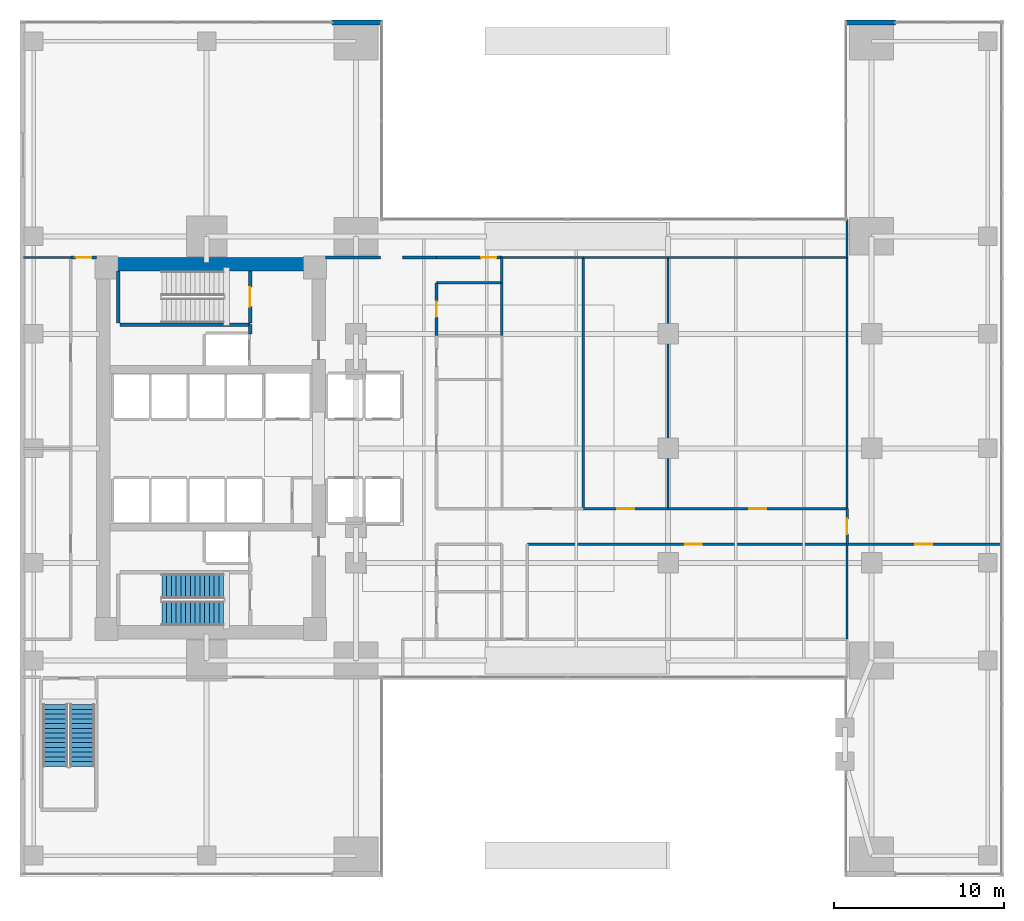
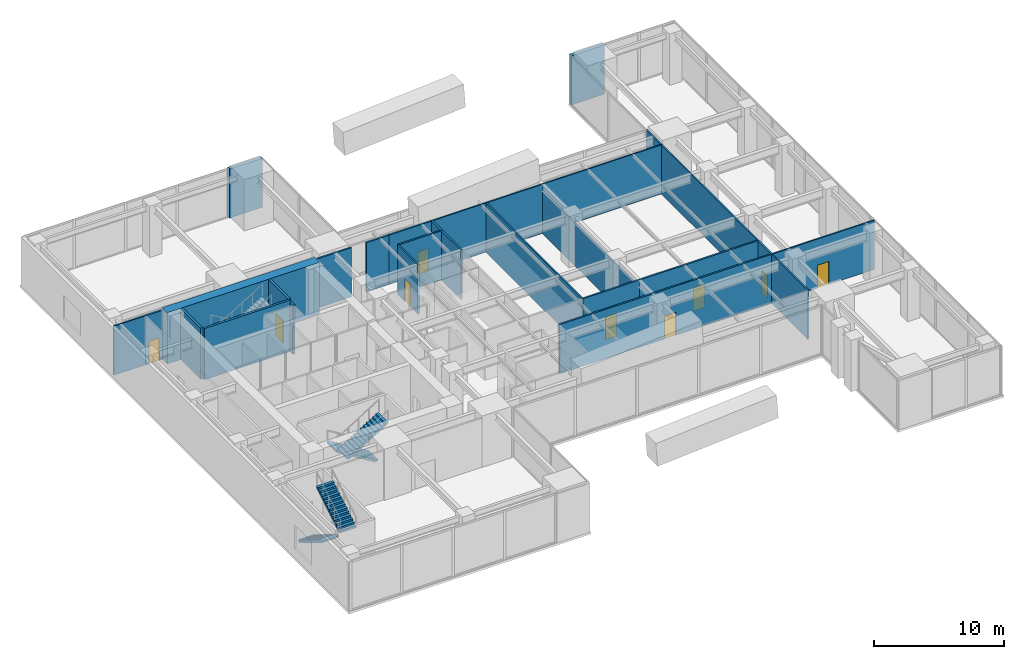
# One storey, part 10 of 13: 29 walls, 9 doors, 4 stair flights, 9 openings, 2 elements without a shape of their own.
"""IFC4 building model written with IfcOpenShell, lengths in metres."""

from ifc_helpers import new_model, si_unit, direction, frame, frame_2d, origin, place, context, subcontext, project, spatial, polyline, rectangle, outline, extrude, material, layer, layer_set, type_object, element, fill, aggregate, save


model = new_model("IFC4")

# Units and contexts
model_context = context("Model", 3, precision=1e-05, world=origin(), true_north=direction((0.0, 1.0)))
body_context = subcontext(model_context, "Body", "Model", "MODEL_VIEW")
ifc_project = project(units=[si_unit("LENGTHUNIT", "METRE"), si_unit("AREAUNIT", "SQUARE_METRE"), si_unit("VOLUMEUNIT", "CUBIC_METRE"), si_unit("PLANEANGLEUNIT", "RADIAN"), si_unit("MASSUNIT", "GRAM", prefix="KILO")], contexts=[model_context])

# Site, building, storey
site_placement = place(None, origin())
site = spatial("IfcSite", under=ifc_project, at=site_placement, CompositionType="ELEMENT")
building_placement = place(site_placement, origin())
building = spatial("IfcBuilding", under=site, at=building_placement, Name="Kinhvarn Gate Tower", CompositionType="ELEMENT")
storey_placement = place(building_placement, frame((0.0, 0.0, 10.800048828125)))
storey = spatial("IfcBuildingStorey", under=building, at=storey_placement, Name="L02", CompositionType="ELEMENT", Elevation=10.800048828125)

# Walls
ifc_material_1 = material(Name="Concrete C70/85", Category="concrete")
ifc_layer_1 = layer(ifc_material_1, 0.800048828125)
ifc_layer_set_1 = layer_set([ifc_layer_1], Name="Concrete C70/85")
wall_type_1 = type_object("IfcWallType", Name="WL-CORE-800", PredefinedType="SHEAR", material=ifc_layer_set_1)
wall_1_placement = place(storey_placement, frame((4.5, 36.10009765625, 0.0), z_axis=(0.0, 0.0, 1.0), x_axis=(1.0, 0.0, 0.0)))
element("IfcWall", 1, at=wall_1_placement, inside=storey, type_object=wall_type_1, Name="Core North Shear Wall L02 800 mm", PredefinedType="SHEAR", context=body_context, shape_type="SweptSolid", body=[
    extrude(rectangle(XDim=13.5, YDim=0.800048828125, at=frame_2d((6.75, 0.0))), origin(), (0.0, 0.0, 1.0), 4.800048828125),
])
ifc_material_2 = material(Name="Precast white architectural concrete C40/50", Category="concrete")
ifc_layer_2 = layer(ifc_material_2, 0.300048828125)
ifc_layer_set_2 = layer_set([ifc_layer_2], Name="Precast white architectural concrete C40/50")
wall_type_2 = type_object("IfcWallType", Name="WL-EXT-300", PredefinedType="SOLIDWALL", material=ifc_layer_set_2)
for number, where, z_axis, x_axis, name in (
    (2, (51.60009765625, 50.35009765625, 0.0), (0.0, 0.0, 1.0), (-1.0, 0.0, 0.0), "Exterior Solidwall Wall EW-300 (L02 Arch-NE-Pier-L02)"),
    (3, (21.31005859375, 50.35009765625, 0.0), (0.0, 0.0, 1.0), (-1.0, 0.0, 0.0), "Exterior Solidwall Wall EW-300 (L02 Arch-NW-Pier-L02)"),
):
    element("IfcWall", number, at=place(storey_placement, frame(where, z_axis=z_axis, x_axis=x_axis)), inside=storey, type_object=wall_type_2, Name=name, PredefinedType="SOLIDWALL", context=body_context, shape_type="SweptSolid", body=[
        extrude(rectangle(XDim=2.91015625, YDim=0.300048828125, at=frame_2d((1.455078125, 0.0))), origin(), (0.0, 0.0, 1.0), 4.599853515625),
    ])
ifc_material_3 = material(Name="Gypsum acoustic partition board")
ifc_layer_3 = layer(ifc_material_3, 0.14990234375)
ifc_layer_set_3 = layer_set([ifc_layer_3], Name="Gypsum acoustic partition board")
wall_type_3 = type_object("IfcWallType", Name="WL-PLM-150", PredefinedType="PLUMBINGWALL", material=ifc_layer_set_3)
wall_2_placement = place(storey_placement, frame((28.39990234375, 31.89990234375, 0.0), z_axis=(0.0, 0.0, 1.0), x_axis=(0.0, 1.0, 0.0)))
element("IfcWall", 4, at=wall_2_placement, inside=storey, type_object=wall_type_3, Name="Interior Partition PLW-150 (L02)", PredefinedType="PLUMBINGWALL", context=body_context, shape_type="SweptSolid", body=[
    extrude(rectangle(XDim=3.10009765625, YDim=0.14990234375, at=frame_2d((1.550048828125, 0.0))), origin(), (0.0, 0.0, 1.0), 4.599853515625),
])

# Wall, opening, door
ifc_layer_4 = layer(ifc_material_3, 0.14990234375)
ifc_layer_set_4 = layer_set([ifc_layer_4], Name="Gypsum acoustic partition board")
wall_type_4 = type_object("IfcWallType", Name="WL-PLM-150F", PredefinedType="PLUMBINGWALL", material=ifc_layer_set_4)
wall_3_placement = place(storey_placement, frame((24.550048828125, 31.89990234375, 0.0), z_axis=(0.0, 0.0, 1.0), x_axis=(0.0, 1.0, 0.0)))
wall_3 = element("IfcWall", 5, at=wall_3_placement, inside=storey, type_object=wall_type_4, Name="Interior Partition PLW-150F (L02)", PredefinedType="PLUMBINGWALL", context=body_context, shape_type="SweptSolid", body=[
    extrude(rectangle(XDim=3.10009765625, YDim=0.14990234375, at=frame_2d((1.550048828125, 0.0))), origin(), (0.0, 0.0, 1.0), 4.599853515625),
])
opening_1_placement = place(wall_3_placement, frame((1.10009765625, 0.0, 0.0)))
opening_1 = element("IfcOpeningElement", 6, at=opening_1_placement, cuts=wall_3, Name="Opening FD-04", PredefinedType="OPENING", context=body_context, shape_type="SweptSolid", body=[
    extrude(rectangle(XDim=0.89990234375, YDim=2.10009765625, at=frame_2d((0.449951171875, 1.050048828125))), frame((0.0, 0.0849609375, 0.0), z_axis=(0.0, -1.0, 0.0), x_axis=(1.0, 0.0, 0.0)), (0.0, 0.0, 1.0), 0.169921875),
])
ifc_material_4 = material(Name="Anodised aluminium AW-6063", Category="aluminium")
door_type_1 = type_object("IfcDoorType", Name="DR-FD-900", OperationType="NOTDEFINED", PredefinedType="DOOR", material=ifc_material_4)
door_1_placement = place(opening_1_placement, origin())
door_1 = element("IfcDoor", 7, at=door_1_placement, inside=storey, type_object=door_type_1, Name="Rated Riser & Service Closet Fire Door 900x2100 mm (L02)", OperationType="SINGLE_SWING_RIGHT", OverallHeight=2.10009765625, OverallWidth=0.89990234375, PredefinedType="DOOR", context=body_context, shape_type="SweptSolid", body=[
    extrude(rectangle(XDim=0.89990234375, YDim=2.10009765625, at=frame_2d((0.449951171875, 1.050048828125))), frame((0.0, 0.02490234375, 0.0), z_axis=(0.0, -1.0, 0.0), x_axis=(1.0, 0.0, 0.0)), (0.0, 0.0, 1.0), 0.050048828125),
])
fill(opening_1, door_1)

# Walls
wall_4_placement = place(storey_placement, frame((24.550048828125, 35.0, 0.0), z_axis=(0.0, 0.0, 1.0), x_axis=(1.0, 0.0, 0.0)))
element("IfcWall", 8, at=wall_4_placement, inside=storey, type_object=wall_type_4, Name="Interior Partition PLW-150F (L02)", PredefinedType="PLUMBINGWALL", context=body_context, shape_type="SweptSolid", body=[
    extrude(rectangle(XDim=3.849853515625, YDim=0.14990234375, at=frame_2d((1.9248046875, 0.0))), origin(), (0.0, 0.0, 1.0), 4.599853515625),
])
ifc_layer_5 = layer(ifc_material_3, 0.1201171875)
ifc_layer_set_5 = layer_set([ifc_layer_5], Name="Gypsum acoustic partition board")
wall_type_5 = type_object("IfcWallType", Name="WL-PRT-120", PredefinedType="PARTITIONING", material=ifc_layer_set_5)
wall_5_placement = place(storey_placement, frame((0.199951171875, 36.5, 0.0), z_axis=(0.0, 0.0, 1.0), x_axis=(1.0, 0.0, 0.0)))
element("IfcWall", 9, at=wall_5_placement, inside=storey, type_object=wall_type_5, Name="Interior Partition PW-120 (L02)", PredefinedType="PARTITIONING", context=body_context, shape_type="SweptSolid", body=[
    extrude(rectangle(XDim=2.800048828125, YDim=0.1201171875, at=frame_2d((1.39990234375, 0.0))), origin(), (0.0, 0.0, 1.0), 4.599853515625),
])
wall_6_placement = place(storey_placement, frame((28.39990234375, 36.5, 0.0), z_axis=(0.0, 0.0, 1.0), x_axis=(1.0, 0.0, 0.0)))
element("IfcWall", 10, at=wall_6_placement, inside=storey, type_object=wall_type_5, Name="Interior Partition PW-120 (L02)", PredefinedType="PARTITIONING", context=body_context, shape_type="SweptSolid", body=[
    extrude(rectangle(XDim=4.800048828125, YDim=0.1201171875, at=frame_2d((2.39990234375, 0.0))), origin(), (0.0, 0.0, 1.0), 4.599853515625),
])
wall_7_placement = place(storey_placement, frame((33.199951171875, 36.5, 0.0), z_axis=(0.0, 0.0, 1.0), x_axis=(1.0, 0.0, 0.0)))
element("IfcWall", 11, at=wall_7_placement, inside=storey, type_object=wall_type_5, Name="Interior Partition PW-120 (L02)", PredefinedType="PARTITIONING", context=body_context, shape_type="SweptSolid", body=[
    extrude(rectangle(XDim=5.0, YDim=0.1201171875, at=frame_2d((2.5, 0.0))), origin(), (0.0, 0.0, 1.0), 4.599853515625),
])
wall_8_placement = place(storey_placement, frame((38.199951171875, 36.5, 0.0), z_axis=(0.0, 0.0, 1.0), x_axis=(1.0, 0.0, 0.0)))
element("IfcWall", 12, at=wall_8_placement, inside=storey, type_object=wall_type_5, Name="Interior Partition PW-120 (L02)", PredefinedType="PARTITIONING", context=body_context, shape_type="SweptSolid", body=[
    extrude(rectangle(XDim=10.550048828125, YDim=0.1201171875, at=frame_2d((5.27490234375, 0.0))), origin(), (0.0, 0.0, 1.0), 4.599853515625),
])
wall_9_placement = place(storey_placement, frame((48.75, 36.5, 0.0), z_axis=(0.0, 0.0, 1.0), x_axis=(0.0, 1.0, 0.0)))
element("IfcWall", 13, at=wall_9_placement, inside=storey, type_object=wall_type_5, Name="Interior Partition PW-120 (L02)", PredefinedType="PARTITIONING", context=body_context, shape_type="SweptSolid", body=[
    extrude(rectangle(XDim=2.260009765625, YDim=0.1201171875, at=frame_2d((1.1298828125, 0.0))), origin(), (0.0, 0.0, 1.0), 4.599853515625),
])
wall_10_placement = place(storey_placement, frame((48.75, 14.0, 0.0), z_axis=(0.0, 0.0, 1.0), x_axis=(0.0, 1.0, 0.0)))
element("IfcWall", 14, at=wall_10_placement, inside=storey, type_object=wall_type_5, Name="Interior Partition PW-120 (L02)", PredefinedType="PARTITIONING", context=body_context, shape_type="SweptSolid", body=[
    extrude(rectangle(XDim=5.60009765625, YDim=0.1201171875, at=frame_2d((2.800048828125, 0.0))), origin(), (0.0, 0.0, 1.0), 4.599853515625),
])
wall_11_placement = place(storey_placement, frame((33.199951171875, 21.699951171875, 0.0), z_axis=(0.0, 0.0, 1.0), x_axis=(0.0, 1.0, 0.0)))
element("IfcWall", 15, at=wall_11_placement, inside=storey, type_object=wall_type_5, Name="Interior Partition PW-120 (L02)", PredefinedType="PARTITIONING", context=body_context, shape_type="SweptSolid", body=[
    extrude(rectangle(XDim=14.800048828125, YDim=0.1201171875, at=frame_2d((7.39990234375, 0.0))), origin(), (0.0, 0.0, 1.0), 4.599853515625),
])
wall_12_placement = place(storey_placement, frame((38.199951171875, 21.699951171875, 0.0), z_axis=(0.0, 0.0, 1.0), x_axis=(0.0, 1.0, 0.0)))
element("IfcWall", 16, at=wall_12_placement, inside=storey, type_object=wall_type_5, Name="Interior Partition PW-120 (L02)", PredefinedType="PARTITIONING", context=body_context, shape_type="SweptSolid", body=[
    extrude(rectangle(XDim=14.800048828125, YDim=0.1201171875, at=frame_2d((7.39990234375, 0.0))), origin(), (0.0, 0.0, 1.0), 4.0),
])
wall_13_placement = place(storey_placement, frame((48.75, 21.699951171875, 0.0), z_axis=(0.0, 0.0, 1.0), x_axis=(0.0, 1.0, 0.0)))
element("IfcWall", 17, at=wall_13_placement, inside=storey, type_object=wall_type_5, Name="Interior Partition PW-120 (L02)", PredefinedType="PARTITIONING", context=body_context, shape_type="SweptSolid", body=[
    extrude(rectangle(XDim=14.800048828125, YDim=0.1201171875, at=frame_2d((7.39990234375, 0.0))), origin(), (0.0, 0.0, 1.0), 4.599853515625),
])

# Wall, opening, door
wall_14_placement = place(storey_placement, frame((48.75, 19.60009765625, 0.0), z_axis=(0.0, 0.0, 1.0), x_axis=(1.0, 0.0, 0.0)))
wall_14 = element("IfcWall", 18, at=wall_14_placement, inside=storey, type_object=wall_type_5, Name="Interior Partition PW-120 (L02)", PredefinedType="PARTITIONING", context=body_context, shape_type="SweptSolid", body=[
    extrude(rectangle(XDim=9.050048828125, YDim=0.1201171875, at=frame_2d((4.52490234375, 0.0))), origin(), (0.0, 0.0, 1.0), 4.599853515625),
])
opening_2_placement = place(wall_14_placement, frame((4.02490234375, 0.0, 0.0)))
opening_2 = element("IfcOpeningElement", 19, at=opening_2_placement, cuts=wall_14, Name="Opening ID-02", PredefinedType="OPENING", context=body_context, shape_type="SweptSolid", body=[
    extrude(rectangle(XDim=1.0, YDim=2.14990234375, at=frame_2d((0.5, 1.074951171875))), frame((0.0, 0.070068359375, 0.0), z_axis=(0.0, -1.0, 0.0), x_axis=(1.0, 0.0, 0.0)), (0.0, 0.0, 1.0), 0.14013671875),
])
door_type_2 = type_object("IfcDoorType", Name="DR-INT-1000", OperationType="NOTDEFINED", PredefinedType="DOOR", material=ifc_material_4)
door_2_placement = place(opening_2_placement, origin())
door_2 = element("IfcDoor", 20, at=door_2_placement, inside=storey, type_object=door_type_2, Name="Standard Office & Meeting Room Door 1000x2150 mm (L02)", OperationType="SINGLE_SWING_RIGHT", OverallHeight=2.14990234375, OverallWidth=1.0, PredefinedType="DOOR", context=body_context, shape_type="SweptSolid", body=[
    extrude(rectangle(XDim=1.0, YDim=2.14990234375, at=frame_2d((0.5, 1.074951171875))), frame((0.0, 0.02490234375, 0.0), z_axis=(0.0, -1.0, 0.0), x_axis=(1.0, 0.0, 0.0)), (0.0, 0.0, 1.0), 0.050048828125),
])
fill(opening_2, door_2)

# Walls
ifc_layer_6 = layer(ifc_material_3, 0.14990234375)
ifc_layer_set_6 = layer_set([ifc_layer_6], Name="Gypsum acoustic partition board")
wall_type_6 = type_object("IfcWallType", Name="WL-PRT-150F", PredefinedType="PARTITIONING", material=ifc_layer_set_6)
wall_15_placement = place(storey_placement, frame((18.0, 36.5, 0.0), z_axis=(0.0, 0.0, 1.0), x_axis=(1.0, 0.0, 0.0)))
element("IfcWall", 21, at=wall_15_placement, inside=storey, type_object=wall_type_6, Name="Interior Partition PW-150F (L02)", PredefinedType="PARTITIONING", context=body_context, shape_type="SweptSolid", body=[
    extrude(rectangle(XDim=3.25, YDim=0.14990234375, at=frame_2d((1.625, 0.0))), origin(), (0.0, 0.0, 1.0), 4.599853515625),
])
wall_16_placement = place(storey_placement, frame((22.550048828125, 36.5, 0.0), z_axis=(0.0, 0.0, 1.0), x_axis=(1.0, 0.0, 0.0)))
element("IfcWall", 22, at=wall_16_placement, inside=storey, type_object=wall_type_6, Name="Interior Partition PW-150F (L02)", PredefinedType="PARTITIONING", context=body_context, shape_type="SweptSolid", body=[
    extrude(rectangle(XDim=2.0, YDim=0.14990234375, at=frame_2d((1.0, 0.0))), origin(), (0.0, 0.0, 1.0), 4.599853515625),
])

# Wall, opening, door
wall_17_placement = place(storey_placement, frame((24.550048828125, 36.5, 0.0), z_axis=(0.0, 0.0, 1.0), x_axis=(1.0, 0.0, 0.0)))
wall_17 = element("IfcWall", 23, at=wall_17_placement, inside=storey, type_object=wall_type_6, Name="Interior Partition PW-150F (L02)", PredefinedType="PARTITIONING", context=body_context, shape_type="SweptSolid", body=[
    extrude(rectangle(XDim=3.849853515625, YDim=0.14990234375, at=frame_2d((1.9248046875, 0.0))), origin(), (0.0, 0.0, 1.0), 4.599853515625),
])
opening_3_placement = place(wall_17_placement, frame((2.6259765625, 0.0, 0.0)))
opening_3 = element("IfcOpeningElement", 24, at=opening_3_placement, cuts=wall_17, Name="Opening ID-03", PredefinedType="OPENING", context=body_context, shape_type="SweptSolid", body=[
    extrude(rectangle(XDim=0.89990234375, YDim=2.10009765625, at=frame_2d((0.449951171875, 1.050048828125))), frame((0.0, 0.0849609375, 0.0), z_axis=(0.0, -1.0, 0.0), x_axis=(1.0, 0.0, 0.0)), (0.0, 0.0, 1.0), 0.169921875),
])
door_type_3 = type_object("IfcDoorType", Name="DR-INT-900", OperationType="NOTDEFINED", PredefinedType="DOOR", material=ifc_material_4)
door_3_placement = place(opening_3_placement, origin())
door_3 = element("IfcDoor", 25, at=door_3_placement, inside=storey, type_object=door_type_3, Name="Cellular Office & Restroom Door 900x2100 mm (L02)", OperationType="SINGLE_SWING_LEFT", OverallHeight=2.10009765625, OverallWidth=0.89990234375, PredefinedType="DOOR", context=body_context, shape_type="SweptSolid", body=[
    extrude(rectangle(XDim=0.89990234375, YDim=2.10009765625, at=frame_2d((0.449951171875, 1.050048828125))), frame((0.0, 0.02490234375, 0.0), z_axis=(0.0, -1.0, 0.0), x_axis=(1.0, 0.0, 0.0)), (0.0, 0.0, 1.0), 0.050048828125),
])
fill(opening_3, door_3)

# Wall
wall_18_placement = place(storey_placement, frame((28.39990234375, 35.0, 0.0), z_axis=(0.0, 0.0, 1.0), x_axis=(0.0, 1.0, 0.0)))
element("IfcWall", 26, at=wall_18_placement, inside=storey, type_object=wall_type_6, Name="Interior Partition PW-150F (L02)", PredefinedType="PARTITIONING", context=body_context, shape_type="SweptSolid", body=[
    extrude(rectangle(XDim=1.5, YDim=0.14990234375, at=frame_2d((0.75, 0.0))), origin(), (0.0, 0.0, 1.0), 4.599853515625),
])

# Wall, opening, door
wall_19_placement = place(storey_placement, frame((3.0, 36.5, 0.0), z_axis=(0.0, 0.0, 1.0), x_axis=(1.0, 0.0, 0.0)))
wall_19 = element("IfcWall", 27, at=wall_19_placement, inside=storey, type_object=wall_type_6, Name="Interior Partition PW-150F (L02)", PredefinedType="PARTITIONING", context=body_context, shape_type="SweptSolid", body=[
    extrude(rectangle(XDim=1.5, YDim=0.14990234375, at=frame_2d((0.75, 0.0))), origin(), (0.0, 0.0, 1.0), 4.599853515625),
])
opening_4_placement = place(wall_19_placement, frame((0.300048828125, 0.0, 0.0)))
opening_4 = element("IfcOpeningElement", 28, at=opening_4_placement, cuts=wall_19, Name="Opening ID-03", PredefinedType="OPENING", context=body_context, shape_type="SweptSolid", body=[
    extrude(rectangle(XDim=0.89990234375, YDim=2.10009765625, at=frame_2d((0.449951171875, 1.050048828125))), frame((0.0, 0.0849609375, 0.0), z_axis=(0.0, -1.0, 0.0), x_axis=(1.0, 0.0, 0.0)), (0.0, 0.0, 1.0), 0.169921875),
])
door_4_placement = place(opening_4_placement, origin())
door_4 = element("IfcDoor", 29, at=door_4_placement, inside=storey, type_object=door_type_3, Name="Cellular Office & Restroom Door 900x2100 mm (L02)", OperationType="SINGLE_SWING_RIGHT", OverallHeight=2.10009765625, OverallWidth=0.89990234375, PredefinedType="DOOR", context=body_context, shape_type="SweptSolid", body=[
    extrude(rectangle(XDim=0.89990234375, YDim=2.10009765625, at=frame_2d((0.449951171875, 1.050048828125))), frame((0.0, 0.02490234375, 0.0), z_axis=(0.0, -1.0, 0.0), x_axis=(1.0, 0.0, 0.0)), (0.0, 0.0, 1.0), 0.050048828125),
])
fill(opening_4, door_4)

wall_20_placement = place(storey_placement, frame((29.89990234375, 19.60009765625, 0.0), z_axis=(0.0, 0.0, 1.0), x_axis=(1.0, 0.0, 0.0)))
wall_20 = element("IfcWall", 30, at=wall_20_placement, inside=storey, type_object=wall_type_6, Name="Interior Partition PW-150F (L02)", PredefinedType="PARTITIONING", context=body_context, shape_type="SweptSolid", body=[
    extrude(rectangle(XDim=18.85009765625, YDim=0.14990234375, at=frame_2d((9.425048828125, 0.0))), origin(), (0.0, 0.0, 1.0), 4.599853515625),
])
opening_5_placement = place(wall_20_placement, frame((9.299072265625, 0.0, 0.0)))
opening_5 = element("IfcOpeningElement", 31, at=opening_5_placement, cuts=wall_20, Name="Opening ID-02", PredefinedType="OPENING", context=body_context, shape_type="SweptSolid", body=[
    extrude(rectangle(XDim=1.0, YDim=2.14990234375, at=frame_2d((0.5, 1.074951171875))), frame((0.0, 0.0849609375, 0.0), z_axis=(0.0, -1.0, 0.0), x_axis=(1.0, 0.0, 0.0)), (0.0, 0.0, 1.0), 0.169921875),
])
door_5_placement = place(opening_5_placement, origin())
door_5 = element("IfcDoor", 32, at=door_5_placement, inside=storey, type_object=door_type_2, Name="Standard Office & Meeting Room Door 1000x2150 mm (L02)", OperationType="SINGLE_SWING_LEFT", OverallHeight=2.14990234375, OverallWidth=1.0, PredefinedType="DOOR", context=body_context, shape_type="SweptSolid", body=[
    extrude(rectangle(XDim=1.0, YDim=2.14990234375, at=frame_2d((0.5, 1.074951171875))), frame((0.0, 0.02490234375, 0.0), z_axis=(0.0, -1.0, 0.0), x_axis=(1.0, 0.0, 0.0)), (0.0, 0.0, 1.0), 0.050048828125),
])
fill(opening_5, door_5)

wall_21_placement = place(storey_placement, frame((33.199951171875, 21.699951171875, 0.0), z_axis=(0.0, 0.0, 1.0), x_axis=(1.0, 0.0, 0.0)))
wall_21 = element("IfcWall", 33, at=wall_21_placement, inside=storey, type_object=wall_type_6, Name="Interior Partition PW-150F (L02)", PredefinedType="PARTITIONING", context=body_context, shape_type="SweptSolid", body=[
    extrude(rectangle(XDim=5.0, YDim=0.14990234375, at=frame_2d((2.5, 0.0))), origin(), (0.0, 0.0, 1.0), 4.599853515625),
])
opening_6_placement = place(wall_21_placement, frame((2.0, 0.0, 0.0)))
opening_6 = element("IfcOpeningElement", 34, at=opening_6_placement, cuts=wall_21, Name="Opening ID-02", PredefinedType="OPENING", context=body_context, shape_type="SweptSolid", body=[
    extrude(rectangle(XDim=1.0, YDim=2.14990234375, at=frame_2d((0.5, 1.074951171875))), frame((0.0, 0.0849609375, 0.0), z_axis=(0.0, -1.0, 0.0), x_axis=(1.0, 0.0, 0.0)), (0.0, 0.0, 1.0), 0.169921875),
])
door_6_placement = place(opening_6_placement, origin())
door_6 = element("IfcDoor", 35, at=door_6_placement, inside=storey, type_object=door_type_2, Name="Standard Office & Meeting Room Door 1000x2150 mm (L02)", OperationType="SINGLE_SWING_LEFT", OverallHeight=2.14990234375, OverallWidth=1.0, PredefinedType="DOOR", context=body_context, shape_type="SweptSolid", body=[
    extrude(rectangle(XDim=1.0, YDim=2.14990234375, at=frame_2d((0.5, 1.074951171875))), frame((0.0, 0.02490234375, 0.0), z_axis=(0.0, -1.0, 0.0), x_axis=(1.0, 0.0, 0.0)), (0.0, 0.0, 1.0), 0.050048828125),
])
fill(opening_6, door_6)

wall_22_placement = place(storey_placement, frame((38.199951171875, 21.699951171875, 0.0), z_axis=(0.0, 0.0, 1.0), x_axis=(1.0, 0.0, 0.0)))
wall_22 = element("IfcWall", 36, at=wall_22_placement, inside=storey, type_object=wall_type_6, Name="Interior Partition PW-150F (L02)", PredefinedType="PARTITIONING", context=body_context, shape_type="SweptSolid", body=[
    extrude(rectangle(XDim=10.550048828125, YDim=0.14990234375, at=frame_2d((5.27490234375, 0.0))), origin(), (0.0, 0.0, 1.0), 4.599853515625),
])
opening_7_placement = place(wall_22_placement, frame((4.77490234375, 0.0, 0.0)))
opening_7 = element("IfcOpeningElement", 37, at=opening_7_placement, cuts=wall_22, Name="Opening ID-02", PredefinedType="OPENING", context=body_context, shape_type="SweptSolid", body=[
    extrude(rectangle(XDim=1.0, YDim=2.14990234375, at=frame_2d((0.5, 1.074951171875))), frame((0.0, 0.0849609375, 0.0), z_axis=(0.0, -1.0, 0.0), x_axis=(1.0, 0.0, 0.0)), (0.0, 0.0, 1.0), 0.169921875),
])
door_7_placement = place(opening_7_placement, origin())
door_7 = element("IfcDoor", 38, at=door_7_placement, inside=storey, type_object=door_type_2, Name="Standard Office & Meeting Room Door 1000x2150 mm (L02)", OperationType="SINGLE_SWING_RIGHT", OverallHeight=2.14990234375, OverallWidth=1.0, PredefinedType="DOOR", context=body_context, shape_type="SweptSolid", body=[
    extrude(rectangle(XDim=1.0, YDim=2.14990234375, at=frame_2d((0.5, 1.074951171875))), frame((0.0, 0.02490234375, 0.0), z_axis=(0.0, -1.0, 0.0), x_axis=(1.0, 0.0, 0.0)), (0.0, 0.0, 1.0), 0.050048828125),
])
fill(opening_7, door_7)

wall_23_placement = place(storey_placement, frame((48.75, 19.60009765625, 0.0), z_axis=(0.0, 0.0, 1.0), x_axis=(0.0, 1.0, 0.0)))
wall_23 = element("IfcWall", 39, at=wall_23_placement, inside=storey, type_object=wall_type_6, Name="Interior Partition PW-150F (L02)", PredefinedType="PARTITIONING", context=body_context, shape_type="SweptSolid", body=[
    extrude(rectangle(XDim=2.099853515625, YDim=0.14990234375, at=frame_2d((1.0498046875, 0.0))), origin(), (0.0, 0.0, 1.0), 4.599853515625),
])
opening_8_placement = place(wall_23_placement, frame((0.60009765625, 0.0, 0.0)))
opening_8 = element("IfcOpeningElement", 40, at=opening_8_placement, cuts=wall_23, Name="Opening ID-03", PredefinedType="OPENING", context=body_context, shape_type="SweptSolid", body=[
    extrude(rectangle(XDim=0.89990234375, YDim=2.10009765625, at=frame_2d((0.449951171875, 1.050048828125))), frame((0.0, 0.0849609375, 0.0), z_axis=(0.0, -1.0, 0.0), x_axis=(1.0, 0.0, 0.0)), (0.0, 0.0, 1.0), 0.169921875),
])
door_8_placement = place(opening_8_placement, origin())
door_8 = element("IfcDoor", 41, at=door_8_placement, inside=storey, type_object=door_type_3, Name="Cellular Office & Restroom Door 900x2100 mm (L02)", OperationType="SINGLE_SWING_LEFT", OverallHeight=2.10009765625, OverallWidth=0.89990234375, PredefinedType="DOOR", context=body_context, shape_type="SweptSolid", body=[
    extrude(rectangle(XDim=0.89990234375, YDim=2.10009765625, at=frame_2d((0.449951171875, 1.050048828125))), frame((0.0, 0.02490234375, 0.0), z_axis=(0.0, -1.0, 0.0), x_axis=(1.0, 0.0, 0.0)), (0.0, 0.0, 1.0), 0.050048828125),
])
fill(opening_8, door_8)

# Walls
ifc_layer_7 = layer(ifc_material_3, 0.199951171875)
ifc_layer_set_7 = layer_set([ifc_layer_7], Name="Gypsum acoustic partition board")
wall_type_7 = type_object("IfcWallType", Name="WL-PRT-200", PredefinedType="PARTITIONING", material=ifc_layer_set_7)
wall_24_placement = place(storey_placement, frame((13.580078125, 32.0, 0.0), z_axis=(0.0, 0.0, 1.0), x_axis=(0.0, 1.0, 0.0)))
element("IfcWall", 42, at=wall_24_placement, inside=storey, type_object=wall_type_7, Name="Interior Partition PW-200 (L02)", PredefinedType="PARTITIONING", context=body_context, shape_type="SweptSolid", body=[
    extrude(rectangle(XDim=0.5400390625, YDim=0.199951171875, at=frame_2d((0.27001953125, 0.0))), origin(), (0.0, 0.0, 1.0), 4.599853515625),
])
ifc_material_5 = material(Name="Concrete C40/50", Category="concrete")
ifc_layer_8 = layer(ifc_material_5, 0.199951171875)
ifc_layer_set_8 = layer_set([ifc_layer_8], Name="Concrete C40/50")
wall_type_8 = type_object("IfcWallType", Name="WL-SHF-200", PredefinedType="SOLIDWALL", material=ifc_layer_set_8)
wall_25_placement = place(storey_placement, frame((5.7900390625, 32.64990234375, 0.0), z_axis=(0.0, 0.0, 1.0), x_axis=(0.0, 1.0, 0.0)))
element("IfcWall", 43, at=wall_25_placement, inside=storey, type_object=wall_type_8, Name="Stair ST2 West Shaft Wall (L02)", PredefinedType="SOLIDWALL", context=body_context, shape_type="SweptSolid", body=[
    extrude(rectangle(XDim=3.050048828125, YDim=0.199951171875, at=frame_2d((1.52490234375, 0.0))), origin(), (0.0, 0.0, 1.0), 4.800048828125),
])
wall_26_placement = place(storey_placement, frame((5.89990234375, 32.5400390625, 0.0), z_axis=(0.0, 0.0, 1.0), x_axis=(1.0, 0.0, 0.0)))
element("IfcWall", 44, at=wall_26_placement, inside=storey, type_object=wall_type_8, Name="Stair ST2 South Shaft Wall (L02)", PredefinedType="SOLIDWALL", context=body_context, shape_type="SweptSolid", body=[
    extrude(rectangle(XDim=7.66015625, YDim=0.199951171875, at=frame_2d((3.830078125, 0.0))), origin(), (0.0, 0.0, 1.0), 4.800048828125),
])

# Wall, opening, door
wall_27_placement = place(storey_placement, frame((13.56005859375, 32.64990234375, 0.0), z_axis=(0.0, 0.0, 1.0), x_axis=(0.0, 1.0, 0.0)))
wall_27 = element("IfcWall", 45, at=wall_27_placement, inside=storey, type_object=wall_type_8, Name="Stair ST2 East Entry Wall (L02)", PredefinedType="SOLIDWALL", context=body_context, shape_type="SweptSolid", body=[
    extrude(rectangle(XDim=3.050048828125, YDim=0.199951171875, at=frame_2d((1.52490234375, 0.0))), origin(), (0.0, 0.0, 1.0), 4.800048828125),
])
opening_9_placement = place(wall_27_placement, frame((0.949951171875, 0.0, 0.0)))
opening_9 = element("IfcOpeningElement", 46, at=opening_9_placement, cuts=wall_27, Name="Opening FD-01", PredefinedType="OPENING", context=body_context, shape_type="SweptSolid", body=[
    extrude(rectangle(XDim=1.14990234375, YDim=2.14990234375, at=frame_2d((0.574951171875, 1.074951171875))), frame((0.0, 0.10986328125, 0.0), z_axis=(0.0, -1.0, 0.0), x_axis=(1.0, 0.0, 0.0)), (0.0, 0.0, 1.0), 0.219970703125),
])
door_type_4 = type_object("IfcDoorType", Name="DR-ST-1150", OperationType="NOTDEFINED", PredefinedType="DOOR", material=ifc_material_4)
door_9_placement = place(opening_9_placement, origin())
door_9 = element("IfcDoor", 47, at=door_9_placement, inside=storey, type_object=door_type_4, Name="Exit Stair ST2 Fire Door (L02)", OperationType="SINGLE_SWING_LEFT", OverallHeight=2.14990234375, OverallWidth=1.14990234375, PredefinedType="DOOR", context=body_context, shape_type="SweptSolid", body=[
    extrude(rectangle(XDim=1.14990234375, YDim=2.14990234375, at=frame_2d((0.574951171875, 1.074951171875))), frame((0.0, 0.02490234375, 0.0), z_axis=(0.0, -1.0, 0.0), x_axis=(1.0, 0.0, 0.0)), (0.0, 0.0, 1.0), 0.050048828125),
])
fill(opening_9, door_9)

# Stair, stair flights
stair_type = type_object("IfcStairType", Name="STR-DLG-171", PredefinedType="HALF_TURN_STAIR", material=ifc_material_5)
stair_1_placement = place(storey_placement, origin())
stair_1 = element("IfcStair", 48, at=stair_1_placement, inside=storey, type_object=stair_type, Name="L02 Core Smokeproof Exit Stair ST1", PredefinedType="HALF_TURN_STAIR")
stair_flight_type = type_object("IfcStairFlightType", Name="STF-DLG-171", PredefinedType="STRAIGHT", material=ifc_material_5)
stair_flight_1_placement = place(storey_placement, frame((12.0, 17.125, 0.0), z_axis=(0.0, 0.0, 1.0), x_axis=(-1.0, 0.0, 0.0)))
stair_flight_1 = element("IfcStairFlight", 49, at=stair_flight_1_placement, type_object=stair_flight_type, Name="ST1 flight 1", NumberOfRisers=14, NumberOfTreads=13, PredefinedType="STRAIGHT", RiserHeight=0.171428571, TreadLength=0.28, context=body_context, shape_type="SweptSolid", body=[
    extrude(outline(polyline([(0.0, 0.0), (0.0, 0.17138671875), (0.280029296875, 0.17138671875), (0.280029296875, 0.3427734375), (0.56005859375, 0.3427734375), (0.56005859375, 0.514404296875), (0.840087890625, 0.514404296875), (0.840087890625, 0.685791015625), (1.1201171875, 0.685791015625), (1.1201171875, 0.857177734375), (1.39990234375, 0.857177734375), (1.39990234375, 1.028564453125), (1.679931640625, 1.028564453125), (1.679931640625, 1.199951171875), (1.9599609375, 1.199951171875), (1.9599609375, 1.371337890625), (2.239990234375, 1.371337890625), (2.239990234375, 1.54296875), (2.52001953125, 1.54296875), (2.52001953125, 1.71435546875), (2.800048828125, 1.71435546875), (2.800048828125, 1.8857421875), (3.080078125, 1.8857421875), (3.080078125, 2.05712890625), (3.360107421875, 2.05712890625), (3.360107421875, 2.228515625), (3.639892578125, 2.228515625), (3.639892578125, 2.39990234375), (3.639892578125, 2.052734375), (0.287109375, 0.0), (0.0, 0.0)])), frame((0.0, 0.72509765625, 0.0), z_axis=(0.0, -1.0, 0.0), x_axis=(1.0, 0.0, 0.0)), (0.0, 0.0, 1.0), 1.449951171875),
])
stair_flight_2_placement = place(storey_placement, frame((8.360107421875, 15.52490234375, 2.39990234375), z_axis=(0.0, 0.0, 1.0), x_axis=(1.0, 0.0, 0.0)))
stair_flight_2 = element("IfcStairFlight", 50, at=stair_flight_2_placement, type_object=stair_flight_type, Name="ST1 flight 2", NumberOfRisers=14, NumberOfTreads=13, PredefinedType="STRAIGHT", RiserHeight=0.171428571, TreadLength=0.28, context=body_context, shape_type="SweptSolid", body=[
    extrude(outline(polyline([(0.0, 0.0), (0.0, 0.17138671875), (0.280029296875, 0.17138671875), (0.280029296875, 0.3427734375), (0.56005859375, 0.3427734375), (0.56005859375, 0.514404296875), (0.840087890625, 0.514404296875), (0.840087890625, 0.685791015625), (1.1201171875, 0.685791015625), (1.1201171875, 0.857177734375), (1.39990234375, 0.857177734375), (1.39990234375, 1.028564453125), (1.679931640625, 1.028564453125), (1.679931640625, 1.199951171875), (1.9599609375, 1.199951171875), (1.9599609375, 1.371337890625), (2.239990234375, 1.371337890625), (2.239990234375, 1.54296875), (2.52001953125, 1.54296875), (2.52001953125, 1.71435546875), (2.800048828125, 1.71435546875), (2.800048828125, 1.8857421875), (3.080078125, 1.8857421875), (3.080078125, 2.05712890625), (3.360107421875, 2.05712890625), (3.360107421875, 2.228515625), (3.639892578125, 2.228515625), (3.639892578125, 2.39990234375), (3.639892578125, 2.052734375), (0.287109375, 0.0), (0.0, 0.0)])), frame((0.0, 0.72509765625, 0.0), z_axis=(0.0, -1.0, 0.0), x_axis=(1.0, 0.0, 0.0)), (0.0, 0.0, 1.0), 1.449951171875),
])
aggregate(stair_1, [stair_flight_1, stair_flight_2])

stair_2_placement = place(storey_placement, origin())
stair_2 = element("IfcStair", 51, at=stair_2_placement, inside=storey, type_object=stair_type, Name="L02 Podium & Basement Protected Exit Stair ST3", PredefinedType="HALF_TURN_STAIR")
stair_flight_3_placement = place(storey_placement, frame((2.074951171875, 10.14990234375, 0.0), z_axis=(0.0, 0.0, 1.0), x_axis=(0.0, -1.0, 0.0)))
stair_flight_3 = element("IfcStairFlight", 52, at=stair_flight_3_placement, type_object=stair_flight_type, Name="ST3 flight 1", NumberOfRisers=14, NumberOfTreads=13, PredefinedType="STRAIGHT", RiserHeight=0.171428571, TreadLength=0.28, context=body_context, shape_type="SweptSolid", body=[
    extrude(outline(polyline([(0.0, 0.0), (0.0, 0.17138671875), (0.280029296875, 0.17138671875), (0.280029296875, 0.3427734375), (0.56005859375, 0.3427734375), (0.56005859375, 0.514404296875), (0.840087890625, 0.514404296875), (0.840087890625, 0.685791015625), (1.1201171875, 0.685791015625), (1.1201171875, 0.857177734375), (1.39990234375, 0.857177734375), (1.39990234375, 1.028564453125), (1.679931640625, 1.028564453125), (1.679931640625, 1.199951171875), (1.9599609375, 1.199951171875), (1.9599609375, 1.371337890625), (2.239990234375, 1.371337890625), (2.239990234375, 1.54296875), (2.52001953125, 1.54296875), (2.52001953125, 1.71435546875), (2.800048828125, 1.71435546875), (2.800048828125, 1.8857421875), (3.080078125, 1.8857421875), (3.080078125, 2.05712890625), (3.360107421875, 2.05712890625), (3.360107421875, 2.228515625), (3.639892578125, 2.228515625), (3.639892578125, 2.39990234375), (3.639892578125, 2.052734375), (0.287109375, 0.0), (0.0, 0.0)])), frame((0.0, 0.72509765625, 0.0), z_axis=(0.0, -1.0, 0.0), x_axis=(1.0, 0.0, 0.0)), (0.0, 0.0, 1.0), 1.449951171875),
])
stair_flight_4_placement = place(storey_placement, frame((3.675048828125, 6.510009765625, 2.39990234375), z_axis=(0.0, 0.0, 1.0), x_axis=(0.0, 1.0, 0.0)))
stair_flight_4 = element("IfcStairFlight", 53, at=stair_flight_4_placement, type_object=stair_flight_type, Name="ST3 flight 2", NumberOfRisers=14, NumberOfTreads=13, PredefinedType="STRAIGHT", RiserHeight=0.171428571, TreadLength=0.28, context=body_context, shape_type="SweptSolid", body=[
    extrude(outline(polyline([(0.0, 0.0), (0.0, 0.17138671875), (0.280029296875, 0.17138671875), (0.280029296875, 0.3427734375), (0.56005859375, 0.3427734375), (0.56005859375, 0.514404296875), (0.840087890625, 0.514404296875), (0.840087890625, 0.685791015625), (1.1201171875, 0.685791015625), (1.1201171875, 0.857177734375), (1.39990234375, 0.857177734375), (1.39990234375, 1.028564453125), (1.679931640625, 1.028564453125), (1.679931640625, 1.199951171875), (1.9599609375, 1.199951171875), (1.9599609375, 1.371337890625), (2.239990234375, 1.371337890625), (2.239990234375, 1.54296875), (2.52001953125, 1.54296875), (2.52001953125, 1.71435546875), (2.800048828125, 1.71435546875), (2.800048828125, 1.8857421875), (3.080078125, 1.8857421875), (3.080078125, 2.05712890625), (3.360107421875, 2.05712890625), (3.360107421875, 2.228515625), (3.639892578125, 2.228515625), (3.639892578125, 2.39990234375), (3.639892578125, 2.052734375), (0.287109375, 0.0), (0.0, 0.0)])), frame((0.0, 0.72509765625, 0.0), z_axis=(0.0, -1.0, 0.0), x_axis=(1.0, 0.0, 0.0)), (0.0, 0.0, 1.0), 1.449951171875),
])
aggregate(stair_2, [stair_flight_3, stair_flight_4])

save(model, "model.ifc")
